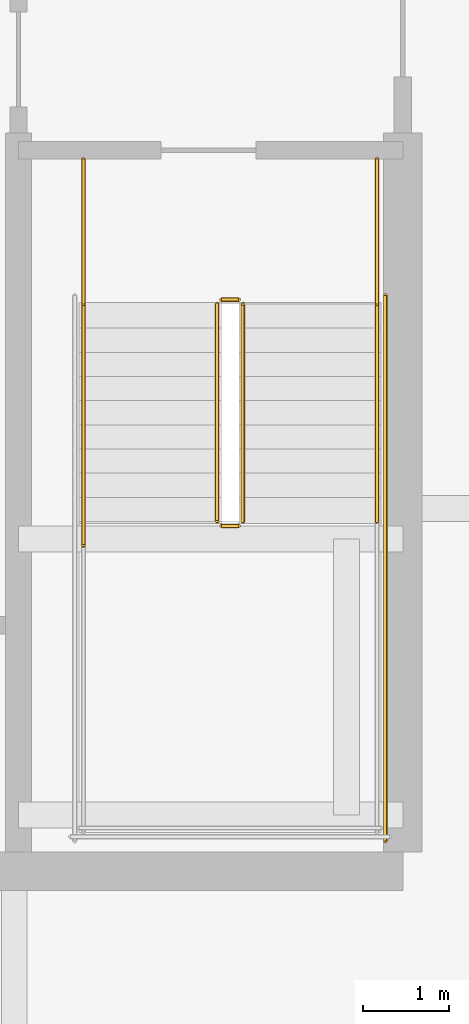
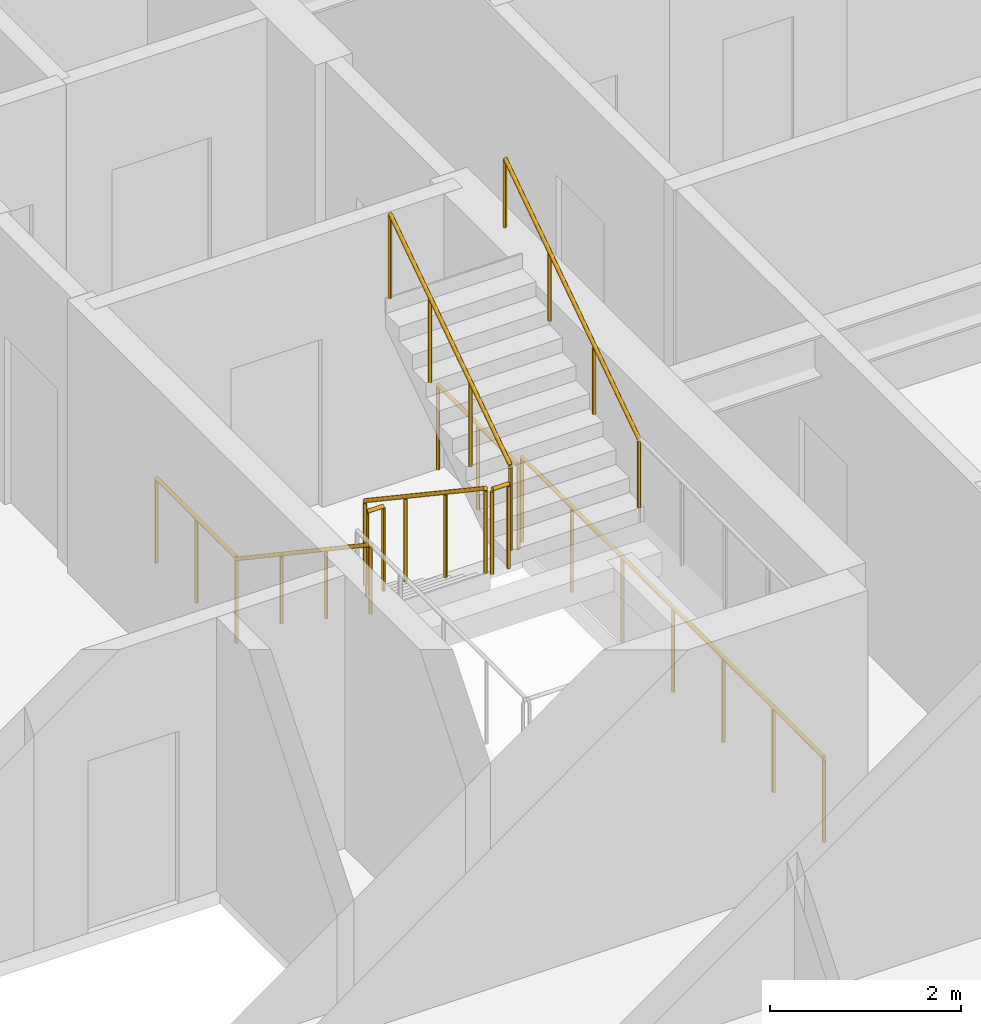
# One storey, part 36 of 39: 9 railings.
"""IFC4 building model written with IfcOpenShell, lengths in metres."""

from ifc_helpers import new_model, si_unit, direction, frame, origin, origin_2d, place, context, subcontext, project, spatial, circle, extrude, material, type_object, element, save


model = new_model("IFC4")

# Units and contexts
model_context = context("Model", 3, precision=1e-05, world=origin(), true_north=direction((0.0, 1.0)))
body_context = subcontext(model_context, "Body", "Model", "MODEL_VIEW")
ifc_project = project(units=[si_unit("LENGTHUNIT", "METRE"), si_unit("AREAUNIT", "SQUARE_METRE"), si_unit("VOLUMEUNIT", "CUBIC_METRE"), si_unit("PLANEANGLEUNIT", "RADIAN"), si_unit("MASSUNIT", "GRAM", prefix="KILO")], contexts=[model_context])

# Site, building, storey
site_placement = place(None, origin())
site = spatial("IfcSite", under=ifc_project, at=site_placement, CompositionType="ELEMENT")
building_placement = place(site_placement, origin())
building = spatial("IfcBuilding", under=site, at=building_placement, Name="Serunith Strait Residences", CompositionType="ELEMENT")
storey_placement = place(building_placement, frame((0.0, 0.0, 60.449951171875)))
storey = spatial("IfcBuildingStorey", under=building, at=storey_placement, Name="L14", CompositionType="ELEMENT", Elevation=60.449951171875)

# Railings
ifc_material = material(Name="Brushed stainless steel 316L", Category="steel")
railing_type_1 = type_object("IfcRailingType", Name="RLG-STAIR-GUARD", PredefinedType="BALUSTRADE", material=ifc_material)
railing_1_placement = place(storey_placement, frame((39.25, 23.3701171875, 0.1875)))
element("IfcRailing", 1, at=railing_1_placement, inside=storey, type_object=railing_type_1, Name="L14 ST-2 stair guard 1", PredefinedType="BALUSTRADE", context=body_context, shape_type="SweptSolid", body=[
    extrude(circle(Radius=0.02392578125, at=origin_2d()), frame((0.0, -0.001708984375, 1.0771484375), z_axis=(0.0, -0.830909170722, 0.55640807867), x_axis=(1.0, 0.0, 0.0)), (0.0, 0.0, 1.0), 3.02880859375),
    extrude(circle(Radius=0.02099609375, at=origin_2d()), origin(), (0.0, 0.0, 1.0), 1.050048828125),
    extrude(circle(Radius=0.02099609375, at=origin_2d()), frame((0.0, -0.840087890625, 0.5625)), (0.0, 0.0, 1.0), 1.050048828125),
    extrude(circle(Radius=0.02099609375, at=origin_2d()), frame((0.0, -1.679931640625, 1.125)), (0.0, 0.0, 1.0), 1.050048828125),
    extrude(circle(Radius=0.02099609375, at=origin_2d()), frame((0.0, -2.52001953125, 1.6875)), (0.0, 0.0, 1.0), 1.050048828125),
])
railing_2_placement = place(storey_placement, frame((39.300048828125, 20.800048828125, 1.875)))
element("IfcRailing", 2, at=railing_2_placement, inside=storey, type_object=railing_type_1, Name="L14 ST-2 stair guard 2", PredefinedType="BALUSTRADE", context=body_context, shape_type="SweptSolid", body=[
    extrude(circle(Radius=0.02392578125, at=origin_2d()), frame((0.001953125, 0.0, 1.076171875), z_axis=(1.0, 0.0, 0.0), x_axis=(0.0, 1.0, 0.0)), (0.0, 0.0, 1.0), 0.196044921875),
    extrude(circle(Radius=0.02099609375, at=origin_2d()), origin(), (0.0, 0.0, 1.0), 1.050048828125),
    extrude(circle(Radius=0.02099609375, at=origin_2d()), frame((0.199951171875, 0.0, 0.0)), (0.0, 0.0, 1.0), 1.050048828125),
])
railing_3_placement = place(storey_placement, frame((39.550048828125, 20.85009765625, 2.0625)))
element("IfcRailing", 3, at=railing_3_placement, inside=storey, type_object=railing_type_1, Name="L14 ST-2 stair guard 6", PredefinedType="BALUSTRADE", context=body_context, shape_type="SweptSolid", body=[
    extrude(circle(Radius=0.02392578125, at=origin_2d()), frame((0.0, 0.001708984375, 1.0771484375), z_axis=(0.0, 0.830909170722, 0.55640807867), x_axis=(-1.0, 0.0, 0.0)), (0.0, 0.0, 1.0), 3.02880859375),
    extrude(circle(Radius=0.02099609375, at=origin_2d()), origin(), (0.0, 0.0, 1.0), 1.050048828125),
    extrude(circle(Radius=0.02099609375, at=origin_2d()), frame((0.0, 0.840087890625, 0.5625)), (0.0, 0.0, 1.0), 1.050048828125),
    extrude(circle(Radius=0.02099609375, at=origin_2d()), frame((0.0, 1.679931640625, 1.125)), (0.0, 0.0, 1.0), 1.050048828125),
    extrude(circle(Radius=0.02099609375, at=origin_2d()), frame((0.0, 2.52001953125, 1.6875)), (0.0, 0.0, 1.0), 1.050048828125),
])
railing_4_placement = place(storey_placement, frame((39.300048828125, 23.419921875, 0.0)))
element("IfcRailing", 4, at=railing_4_placement, inside=storey, type_object=railing_type_1, Name="L14 ST-2 stair guard 7", PredefinedType="BALUSTRADE", context=body_context, shape_type="SweptSolid", body=[
    extrude(circle(Radius=0.02392578125, at=origin_2d()), frame((0.001953125, 0.0, 1.076171875), z_axis=(1.0, 0.0, 0.0), x_axis=(0.0, 1.0, 0.0)), (0.0, 0.0, 1.0), 0.196044921875),
    extrude(circle(Radius=0.02099609375, at=origin_2d()), origin(), (0.0, 0.0, 1.0), 1.050048828125),
    extrude(circle(Radius=0.02099609375, at=origin_2d()), frame((0.199951171875, 0.0, 0.0)), (0.0, 0.0, 1.0), 1.050048828125),
])
for number, where, name in (
    (5, (37.699951171875, 25.050048828125, 0.0), "L14 ST-2 stair guard 8"),
    (6, (41.10009765625, 25.050048828125, 0.0), "L14 ST-2 stair guard 9"),
):
    element("IfcRailing", number, at=place(storey_placement, frame(where)), inside=storey, type_object=railing_type_1, Name=name, PredefinedType="BALUSTRADE", context=body_context, shape_type="SweptSolid", body=[
        extrude(circle(Radius=0.02392578125, at=origin_2d()), frame((0.0, -0.001953125, 1.076171875), z_axis=(0.0, -1.0, 0.0), x_axis=(1.0, 0.0, 0.0)), (0.0, 0.0, 1.0), 1.676025390625),
        extrude(circle(Radius=0.02099609375, at=origin_2d()), origin(), (0.0, 0.0, 1.0), 1.050048828125),
        extrude(circle(Radius=0.02099609375, at=origin_2d()), frame((0.0, -0.83984375, 0.0)), (0.0, 0.0, 1.0), 1.050048828125),
        extrude(circle(Radius=0.02099609375, at=origin_2d()), frame((0.0, -1.679931640625, 0.0)), (0.0, 0.0, 1.0), 1.050048828125),
    ])
railing_5_placement = place(storey_placement, frame((41.199951171875, 23.469970703125, 0.0)))
element("IfcRailing", 7, at=railing_5_placement, inside=storey, type_object=railing_type_1, Name="L14 ST-2 stair guard 11", PredefinedType="BALUSTRADE", context=body_context, shape_type="SweptSolid", body=[
    extrude(circle(Radius=0.02392578125, at=origin_2d()), frame((0.0, -0.001953125, 1.076171875), z_axis=(0.0, -1.0, 0.0), x_axis=(1.0, 0.0, 0.0)), (0.0, 0.0, 1.0), 6.316162109375),
    extrude(circle(Radius=0.02099609375, at=origin_2d()), origin(), (0.0, 0.0, 1.0), 1.050048828125),
    extrude(circle(Radius=0.02099609375, at=origin_2d()), frame((0.0, -1.05322265625, 0.0)), (0.0, 0.0, 1.0), 1.050048828125),
    extrude(circle(Radius=0.02099609375, at=origin_2d()), frame((0.0, -2.106689453125, 0.0)), (0.0, 0.0, 1.0), 1.050048828125),
    extrude(circle(Radius=0.02099609375, at=origin_2d()), frame((0.0, -3.16015625, 0.0)), (0.0, 0.0, 1.0), 1.050048828125),
    extrude(circle(Radius=0.02099609375, at=origin_2d()), frame((0.0, -4.21337890625, 0.0)), (0.0, 0.0, 1.0), 1.050048828125),
    extrude(circle(Radius=0.02099609375, at=origin_2d()), frame((0.0, -5.2666015625, 0.0)), (0.0, 0.0, 1.0), 1.050048828125),
    extrude(circle(Radius=0.02099609375, at=origin_2d()), frame((0.0, -6.320068359375, 0.0)), (0.0, 0.0, 1.0), 1.050048828125),
])
railing_type_2 = type_object("IfcRailingType", Name="RLG-STAIR-HR", PredefinedType="HANDRAIL", material=ifc_material)
railing_6_placement = place(storey_placement, frame((37.699951171875, 23.3701171875, 0.1875)))
element("IfcRailing", 8, at=railing_6_placement, inside=storey, type_object=railing_type_2, Name="L14 ST-2 stair handrail 1", PredefinedType="HANDRAIL", context=body_context, shape_type="SweptSolid", body=[
    extrude(circle(Radius=0.02392578125, at=origin_2d()), frame((0.0, -0.001708984375, 0.876953125), z_axis=(0.0, -0.830208209119, 0.557453432594), x_axis=(1.0, 0.0, 0.0)), (0.0, 0.0, 1.0), 3.36865234375),
    extrude(circle(Radius=0.02099609375, at=origin_2d()), origin(), (0.0, 0.0, 1.0), 0.849853515625),
    extrude(circle(Radius=0.02099609375, at=origin_2d()), frame((0.0, -0.933349609375, 0.626708984375)), (0.0, 0.0, 1.0), 0.849853515625),
    extrude(circle(Radius=0.02099609375, at=origin_2d()), frame((0.0, -1.86669921875, 1.25341796875)), (0.0, 0.0, 1.0), 0.849853515625),
    extrude(circle(Radius=0.02099609375, at=origin_2d()), frame((0.0, -2.800048828125, 1.880126953125)), (0.0, 0.0, 1.0), 0.849853515625),
])
railing_7_placement = place(storey_placement, frame((41.10009765625, 20.85009765625, 2.0625)))
element("IfcRailing", 9, at=railing_7_placement, inside=storey, type_object=railing_type_2, Name="L14 ST-2 stair handrail 2", PredefinedType="HANDRAIL", context=body_context, shape_type="SweptSolid", body=[
    extrude(circle(Radius=0.02392578125, at=origin_2d()), frame((0.0, 0.001708984375, 0.876953125), z_axis=(0.0, 0.830185712471, 0.557486935101), x_axis=(-1.0, 0.0, 0.0)), (0.0, 0.0, 1.0), 3.368408203125),
    extrude(circle(Radius=0.02099609375, at=origin_2d()), origin(), (0.0, 0.0, 1.0), 0.849853515625),
    extrude(circle(Radius=0.02099609375, at=origin_2d()), frame((0.0, 0.933349609375, 0.626708984375)), (0.0, 0.0, 1.0), 0.849853515625),
    extrude(circle(Radius=0.02099609375, at=origin_2d()), frame((0.0, 1.866455078125, 1.25341796875)), (0.0, 0.0, 1.0), 0.849853515625),
    extrude(circle(Radius=0.02099609375, at=origin_2d()), frame((0.0, 2.7998046875, 1.880126953125)), (0.0, 0.0, 1.0), 0.849853515625),
])

save(model, "model.ifc")
